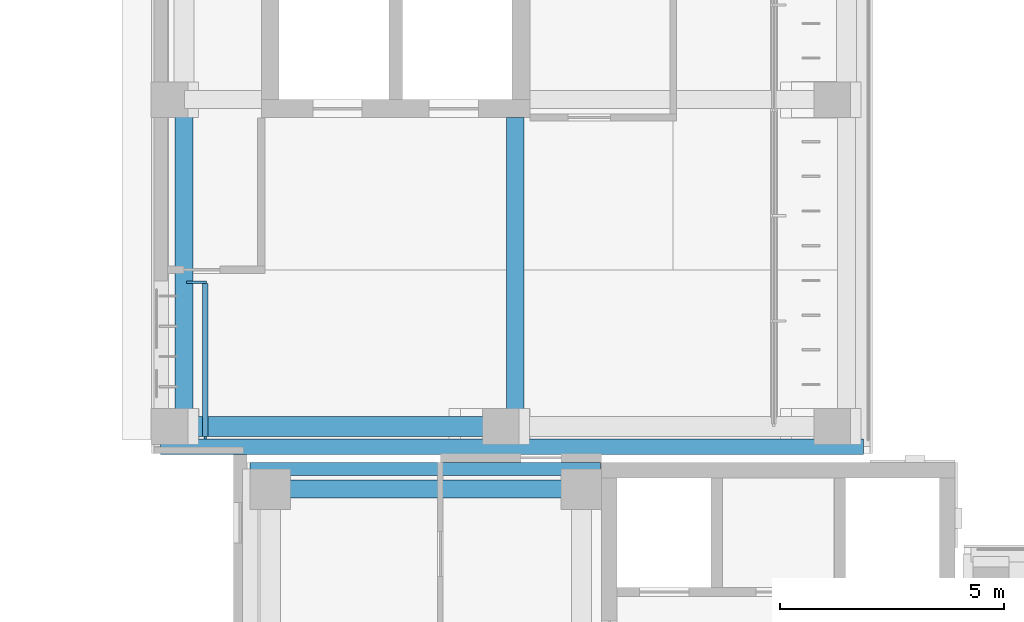
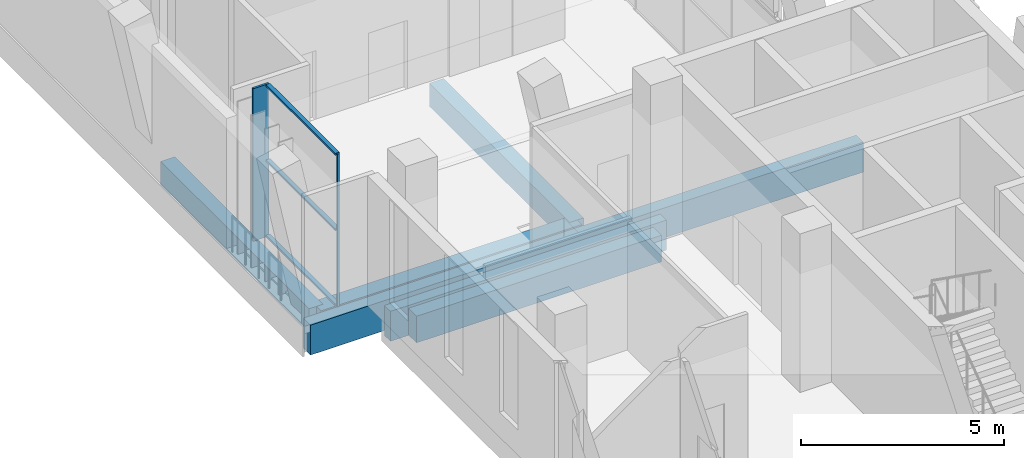
# One storey, part 59 of 141: 6 beams, 5 members, 1 element without a shape of its own.
"""IFC4 building model written with IfcOpenShell, lengths in metres."""

from ifc_helpers import new_model, si_unit, direction, frame, origin, origin_2d, place, context, subcontext, project, spatial, rectangle, extrude, material, material_profile, profile_set, type_object, element, aggregate, save


model = new_model("IFC4")

# Units and contexts
model_context = context("Model", 3, precision=1e-05, world=origin(), true_north=direction((0.0, 1.0)))
body_context = subcontext(model_context, "Body", "Model", "MODEL_VIEW")
ifc_project = project(units=[si_unit("LENGTHUNIT", "METRE"), si_unit("AREAUNIT", "SQUARE_METRE"), si_unit("VOLUMEUNIT", "CUBIC_METRE"), si_unit("PLANEANGLEUNIT", "RADIAN"), si_unit("MASSUNIT", "GRAM", prefix="KILO")], contexts=[model_context])

# Site, building, storey
site_placement = place(None, origin())
site = spatial("IfcSite", under=ifc_project, at=site_placement, CompositionType="ELEMENT")
building_placement = place(site_placement, origin())
building = spatial("IfcBuilding", under=site, at=building_placement, Name="Lantern Court Media Centre", CompositionType="ELEMENT")
storey_placement = place(building_placement, frame((0.0, 0.0, 9.60009765625)))
storey = spatial("IfcBuildingStorey", under=building, at=storey_placement, Name="L02", CompositionType="ELEMENT", Elevation=9.60009765625)

# Curtain wall, members
ifc_material_1 = material(Name="Curtain wall bay 3000")
curtain_wall_type = type_object("IfcCurtainWallType", Name="Curtain wall bay 3000", PredefinedType="NOTDEFINED", material=ifc_material_1)
curtain_wall_placement = place(storey_placement, origin())
curtain_wall = element("IfcCurtainWall", 1, at=curtain_wall_placement, inside=storey, type_object=curtain_wall_type, Name="Curtain wall W outer L02", PredefinedType="NOTDEFINED")
ifc_material_2 = material(Name="Anodised aluminium", Category="aluminium")
ifc_material_profile_1 = material_profile(ifc_material_2, rectangle(XDim=0.449951171875, YDim=0.06005859375, at=origin_2d()), Name="AL 60x450")
ifc_profile_set_1 = profile_set([ifc_material_profile_1], Name="Anodised aluminium")
member_type_1 = type_object("IfcMemberType", Name="Curtain wall mullion 60x450", PredefinedType="MULLION", material=ifc_profile_set_1)
member_1_placement = place(storey_placement, frame((6.955078125, 67.919921875, 0.0), z_axis=(0.0, 0.0, 1.0), x_axis=(-1.0, 0.0, 0.0)))
member_1 = element("IfcMember", 2, at=member_1_placement, type_object=member_type_1, Name="CW1 mullion 2", PredefinedType="MULLION", context=body_context, shape_type="SweptSolid", body=[
    extrude(rectangle(XDim=0.449951171875, YDim=0.06005859375, at=origin_2d()), origin(), (0.0, 0.0, 1.0), 4.579833984375),
])
ifc_material_profile_2 = material_profile(ifc_material_2, rectangle(XDim=0.06005859375, YDim=0.06005859375, at=origin_2d()), Name="AL 60x60")
ifc_profile_set_2 = profile_set([ifc_material_profile_2], Name="Anodised aluminium")
member_type_2 = type_object("IfcMemberType", Name="Curtain wall mullion 60x60", PredefinedType="MULLION", material=ifc_profile_set_2)
member_2_placement = place(storey_placement, frame((7.14990234375, 64.449951171875, 0.0), z_axis=(0.0, 0.0, 1.0), x_axis=(-1.0, 0.0, 0.0)))
member_2 = element("IfcMember", 3, at=member_2_placement, type_object=member_type_2, Name="CW1 mullion 1", PredefinedType="MULLION", context=body_context, shape_type="SweptSolid", body=[
    extrude(rectangle(XDim=0.06005859375, YDim=0.06005859375, at=origin_2d()), origin(), (0.0, 0.0, 1.0), 4.579833984375),
])
ifc_material_profile_3 = material_profile(ifc_material_2, rectangle(XDim=0.1201171875, YDim=0.06005859375, at=origin_2d()), Name="AL 60x120")
ifc_profile_set_3 = profile_set([ifc_material_profile_3], Name="Anodised aluminium")
member_type_3 = type_object("IfcMemberType", Name="Curtain wall transom 60x120", PredefinedType="USERDEFINED", material=ifc_profile_set_3)
member_3_placement = place(storey_placement, frame((7.14990234375, 64.47998046875, 0.02978515625), z_axis=(0.0, 1.0, 0.0), x_axis=(-1.0, 0.0, 0.0)))
member_3 = element("IfcMember", 4, at=member_3_placement, type_object=member_type_3, Name="CW1 transom 1.1", ObjectType="TRANSOM", PredefinedType="USERDEFINED", context=body_context, shape_type="SweptSolid", body=[
    extrude(rectangle(XDim=0.1201171875, YDim=0.06005859375, at=origin_2d()), origin(), (0.0, 0.0, 1.0), 3.409912109375),
])
member_4_placement = place(storey_placement, frame((7.14990234375, 64.47998046875, 2.289794921875), z_axis=(0.0, 1.0, 0.0), x_axis=(-1.0, 0.0, 0.0)))
member_4 = element("IfcMember", 5, at=member_4_placement, type_object=member_type_3, Name="CW1 transom 1.2", ObjectType="TRANSOM", PredefinedType="USERDEFINED", context=body_context, shape_type="SweptSolid", body=[
    extrude(rectangle(XDim=0.1201171875, YDim=0.06005859375, at=origin_2d()), origin(), (0.0, 0.0, 1.0), 3.409912109375),
])
member_5_placement = place(storey_placement, frame((7.14990234375, 64.47998046875, 4.5498046875), z_axis=(0.0, 1.0, 0.0), x_axis=(-1.0, 0.0, 0.0)))
member_5 = element("IfcMember", 6, at=member_5_placement, type_object=member_type_3, Name="CW1 transom 1.3", ObjectType="TRANSOM", PredefinedType="USERDEFINED", context=body_context, shape_type="SweptSolid", body=[
    extrude(rectangle(XDim=0.1201171875, YDim=0.06005859375, at=origin_2d()), origin(), (0.0, 0.0, 1.0), 3.409912109375),
])
aggregate(curtain_wall, [member_2, member_1, member_3, member_4, member_5])

# Beams
ifc_material_3 = material(Name="Concrete C35", Category="concrete")
ifc_material_profile_4 = material_profile(ifc_material_3, rectangle(XDim=0.300048828125, YDim=0.89990234375, at=origin_2d()), Name="RC 300x900")
ifc_profile_set_4 = profile_set([ifc_material_profile_4], Name="Concrete C35")
beam_type_1 = type_object("IfcBeamType", Name="RC BEAM 300x900", PredefinedType="BEAM", material=ifc_profile_set_4)
beam_1_placement = place(storey_placement, frame((8.14990234375, 63.75, -0.4501953125), z_axis=(1.0, 0.0, 0.0), x_axis=(0.0, 1.0, 0.0)))
element("IfcBeam", 7, at=beam_1_placement, inside=storey, type_object=beam_type_1, Name="EB-SW-L02-N", PredefinedType="BEAM", context=body_context, shape_type="SweptSolid", body=[
    extrude(rectangle(XDim=0.300048828125, YDim=0.89990234375, at=origin_2d()), origin(), (0.0, 0.0, 1.0), 7.830078125),
])
ifc_material_profile_5 = material_profile(ifc_material_3, rectangle(XDim=0.35009765625, YDim=0.89990234375, at=origin_2d()), Name="RC 350x900")
ifc_profile_set_5 = profile_set([ifc_material_profile_5], Name="Concrete C35")
beam_type_2 = type_object("IfcBeamType", Name="RC BEAM 350x900", PredefinedType="BEAM", material=ifc_profile_set_5)
beam_2_placement = place(storey_placement, frame((6.14990234375, 64.25, -0.4501953125), z_axis=(1.0, 0.0, 0.0), x_axis=(0.0, 1.0, 0.0)))
element("IfcBeam", 8, at=beam_2_placement, inside=storey, type_object=beam_type_2, Name="EB-W-L02-C", PredefinedType="BEAM", context=body_context, shape_type="SweptSolid", body=[
    extrude(rectangle(XDim=0.35009765625, YDim=0.89990234375, at=origin_2d()), origin(), (0.0, 0.0, 1.0), 15.7001953125),
])
ifc_material_profile_6 = material_profile(ifc_material_3, rectangle(XDim=0.39990234375, YDim=0.699951171875, at=origin_2d()), Name="RC 400x700")
ifc_profile_set_6 = profile_set([ifc_material_profile_6], Name="Concrete C35")
beam_type_3 = type_object("IfcBeamType", Name="RC BEAM 400x700", PredefinedType="BEAM", material=ifc_profile_set_6)
beam_3_placement = place(storey_placement, frame((6.6728515625, 64.699951171875, -0.35009765625), z_axis=(0.0, 1.0, 0.0), x_axis=(-1.0, 0.0, 0.0)))
element("IfcBeam", 9, at=beam_3_placement, inside=storey, type_object=beam_type_3, Name="LB-W-L02-0-0", PredefinedType="BEAM", context=body_context, shape_type="SweptSolid", body=[
    extrude(rectangle(XDim=0.39990234375, YDim=0.699951171875, at=origin_2d()), origin(), (0.0, 0.0, 1.0), 7.300048828125),
])
beam_4_placement = place(storey_placement, frame((14.072998046875, 64.699951171875, -0.35009765625), z_axis=(0.0, 1.0, 0.0), x_axis=(-1.0, 0.0, 0.0)))
element("IfcBeam", 10, at=beam_4_placement, inside=storey, type_object=beam_type_3, Name="LB-W-L02-1-0", PredefinedType="BEAM", context=body_context, shape_type="SweptSolid", body=[
    extrude(rectangle(XDim=0.39990234375, YDim=0.699951171875, at=origin_2d()), origin(), (0.0, 0.0, 1.0), 6.900146484375),
])
ifc_material_profile_7 = material_profile(ifc_material_3, rectangle(XDim=0.39990234375, YDim=0.800048828125, at=origin_2d()), Name="RC 400x800")
ifc_profile_set_7 = profile_set([ifc_material_profile_7], Name="Concrete C35")
beam_type_4 = type_object("IfcBeamType", Name="RC BEAM 400x800", PredefinedType="BEAM", material=ifc_profile_set_7)
beam_5_placement = place(storey_placement, frame((8.60009765625, 63.300048828125, -0.400146484375), z_axis=(1.0, 0.0, 0.0), x_axis=(0.0, 1.0, 0.0)))
element("IfcBeam", 11, at=beam_5_placement, inside=storey, type_object=beam_type_4, Name="BB-SW-L02-Y0-63", PredefinedType="BEAM", context=body_context, shape_type="SweptSolid", body=[
    extrude(rectangle(XDim=0.39990234375, YDim=0.800048828125, at=origin_2d()), origin(), (0.0, 0.0, 1.0), 6.949951171875),
])
ifc_material_profile_8 = material_profile(ifc_material_3, rectangle(XDim=0.449951171875, YDim=0.800048828125, at=origin_2d()), Name="RC 450x800")
ifc_profile_set_8 = profile_set([ifc_material_profile_8], Name="Concrete C35")
beam_type_5 = type_object("IfcBeamType", Name="RC BEAM 450x800", PredefinedType="BEAM", material=ifc_profile_set_8)
beam_6_placement = place(storey_placement, frame((6.683349609375, 64.699951171875, -0.400146484375), z_axis=(1.0, 0.0, 0.0), x_axis=(0.0, 1.0, 0.0)))
element("IfcBeam", 12, at=beam_6_placement, inside=storey, type_object=beam_type_5, Name="TB-W-L02-0-1", PredefinedType="BEAM", context=body_context, shape_type="SweptSolid", body=[
    extrude(rectangle(XDim=0.449951171875, YDim=0.800048828125, at=origin_2d()), origin(), (0.0, 0.0, 1.0), 7.39990234375),
])

save(model, "model.ifc")
